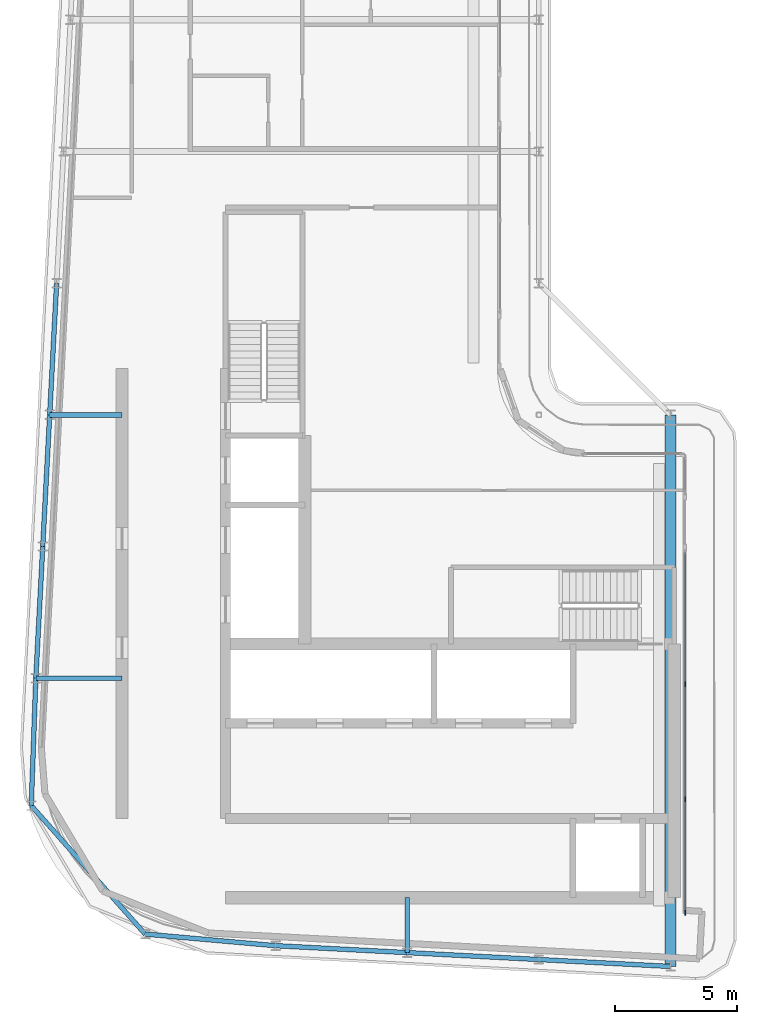
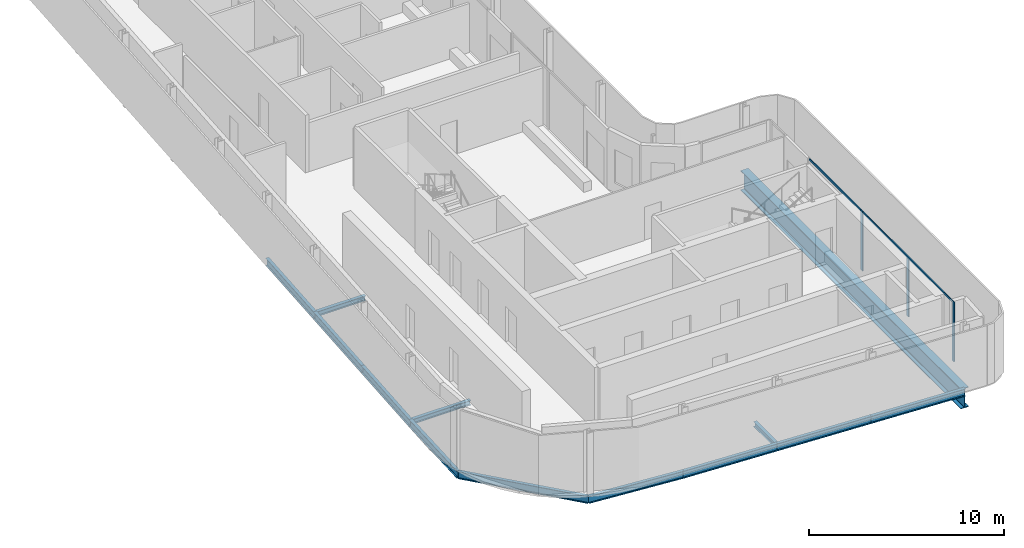
# One storey, part 4 of 17: 13 beams, 5 members, 2 elements without a shape of their own.
"""IFC4 building model written with IfcOpenShell, lengths in metres."""

from ifc_helpers import new_model, si_unit, direction, frame, origin, origin_2d, place, context, subcontext, project, spatial, rectangle, i_section, extrude, material, layer, layer_set, material_profile, profile_set, type_object, element, aggregate, save


model = new_model("IFC4")

# Units and contexts
model_context = context("Model", 3, precision=1e-05, world=origin(), true_north=direction((0.0, 1.0)))
body_context = subcontext(model_context, "Body", "Model", "MODEL_VIEW")
ifc_project = project(units=[si_unit("LENGTHUNIT", "METRE"), si_unit("AREAUNIT", "SQUARE_METRE"), si_unit("VOLUMEUNIT", "CUBIC_METRE"), si_unit("PLANEANGLEUNIT", "RADIAN"), si_unit("MASSUNIT", "GRAM", prefix="KILO")], contexts=[model_context])

# Site, building, storey
site_placement = place(None, origin())
site = spatial("IfcSite", under=ifc_project, at=site_placement, CompositionType="ELEMENT")
building_placement = place(site_placement, origin())
building = spatial("IfcBuilding", under=site, at=building_placement, Name="Kheshtan School and Residences Tower", CompositionType="ELEMENT")
storey_placement = place(building_placement, frame((0.0, 0.0, 342.199951171875)))
storey = spatial("IfcBuildingStorey", under=building, at=storey_placement, Name="L80", CompositionType="ELEMENT", Elevation=342.199951171875)

# Beams
ifc_material_1 = material(Name="Steel ASTM A992 Grade 50", Category="steel")
ifc_material_profile_1 = material_profile(ifc_material_1, i_section(OverallWidth=0.202880859375, OverallDepth=0.302978515625, WebThickness=0.007568359375, FlangeThickness=0.01318359375, FilletRadius=0.009033203125, at=origin_2d()), Name="W310x60")
ifc_profile_set_1 = profile_set([ifc_material_profile_1], Name="Steel ASTM A992 Grade 50")
beam_type_1 = type_object("IfcBeamType", Name="Beam FB1 W310x60 ASTM A992 Grade 50", PredefinedType="BEAM", material=ifc_profile_set_1)
beam_1_placement = place(storey_placement, frame((42.199951171875, 23.548095703125, -0.301513671875), z_axis=(0.0, 1.0, 0.0), x_axis=(-1.0, 0.0, 0.0)))
element("IfcBeam", 1, at=beam_1_placement, inside=storey, type_object=beam_type_1, Name="Floor beam C021", PredefinedType="BEAM", context=body_context, shape_type="SweptSolid", body=[
    extrude(i_section(OverallWidth=0.202880859375, OverallDepth=0.302978515625, WebThickness=0.007568359375, FlangeThickness=0.01318359375, FilletRadius=0.009033203125, at=origin_2d()), origin(), (0.0, 0.0, 1.0), 2.251953125),
])
beam_2_placement = place(storey_placement, frame((26.968994140625, 34.800048828125, -0.301513671875), z_axis=(1.0, 0.0, 0.0), x_axis=(0.0, 1.0, 0.0)))
element("IfcBeam", 2, at=beam_2_placement, inside=storey, type_object=beam_type_1, Name="Floor beam C052", PredefinedType="BEAM", context=body_context, shape_type="SweptSolid", body=[
    extrude(i_section(OverallWidth=0.202880859375, OverallDepth=0.302978515625, WebThickness=0.007568359375, FlangeThickness=0.01318359375, FilletRadius=0.009033203125, at=origin_2d()), origin(), (0.0, 0.0, 1.0), 3.531005859375),
])
beam_3_placement = place(storey_placement, frame((27.537109375, 45.60009765625, -0.301513671875), z_axis=(1.0, 0.0, 0.0), x_axis=(0.0, 1.0, 0.0)))
element("IfcBeam", 3, at=beam_3_placement, inside=storey, type_object=beam_type_1, Name="Floor beam C059", PredefinedType="BEAM", context=body_context, shape_type="SweptSolid", body=[
    extrude(i_section(OverallWidth=0.202880859375, OverallDepth=0.302978515625, WebThickness=0.007568359375, FlangeThickness=0.01318359375, FilletRadius=0.009033203125, at=origin_2d()), origin(), (0.0, 0.0, 1.0), 2.962890625),
])
ifc_material_profile_2 = material_profile(ifc_material_1, i_section(OverallWidth=0.18994140625, OverallDepth=0.45703125, WebThickness=0.009033203125, FlangeThickness=0.014404296875, FilletRadius=0.01318359375, at=origin_2d()), Name="W460x74")
ifc_profile_set_2 = profile_set([ifc_material_profile_2], Name="Steel ASTM A992 Grade 50")
beam_type_2 = type_object("IfcBeamType", Name="Beam SP4 W460x74 ASTM A992 Grade 50", PredefinedType="BEAM", material=ifc_profile_set_2)
beam_4_placement = place(storey_placement, frame((53.0, 22.97998046875, -0.37841796875), z_axis=(-0.998620447272, 0.05250906864, 0.0), x_axis=(-0.05250906864, -0.998620447272, 0.0)))
element("IfcBeam", 4, at=beam_4_placement, inside=storey, type_object=beam_type_2, Name="Spandrel beam C019-C020", PredefinedType="BEAM", context=body_context, shape_type="SweptSolid", body=[
    extrude(i_section(OverallWidth=0.18994140625, OverallDepth=0.45703125, WebThickness=0.009033203125, FlangeThickness=0.014404296875, FilletRadius=0.01318359375, at=origin_2d()), origin(), (0.0, 0.0, 1.0), 5.407470703125),
])
beam_5_placement = place(storey_placement, frame((47.60009765625, 23.263916015625, -0.37841796875), z_axis=(-0.998618203458, 0.052551724256, 0.0), x_axis=(-0.052551724256, -0.998618203458, 0.0)))
element("IfcBeam", 5, at=beam_5_placement, inside=storey, type_object=beam_type_2, Name="Spandrel beam C020-C021", PredefinedType="BEAM", context=body_context, shape_type="SweptSolid", body=[
    extrude(i_section(OverallWidth=0.18994140625, OverallDepth=0.45703125, WebThickness=0.009033203125, FlangeThickness=0.014404296875, FilletRadius=0.01318359375, at=origin_2d()), origin(), (0.0, 0.0, 1.0), 5.40771484375),
])
beam_6_placement = place(storey_placement, frame((42.199951171875, 23.548095703125, -0.37841796875), z_axis=(-0.998620447272, 0.05250906864, 0.0), x_axis=(-0.05250906864, -0.998620447272, 0.0)))
element("IfcBeam", 6, at=beam_6_placement, inside=storey, type_object=beam_type_2, Name="Spandrel beam C021-C022", PredefinedType="BEAM", context=body_context, shape_type="SweptSolid", body=[
    extrude(i_section(OverallWidth=0.18994140625, OverallDepth=0.45703125, WebThickness=0.009033203125, FlangeThickness=0.014404296875, FilletRadius=0.01318359375, at=origin_2d()), origin(), (0.0, 0.0, 1.0), 5.407470703125),
])
beam_7_placement = place(storey_placement, frame((36.800048828125, 23.83203125, -0.37841796875), z_axis=(-0.996058185284, 0.088702263383, 0.0), x_axis=(-0.088702263383, -0.996058185284, 0.0)))
element("IfcBeam", 7, at=beam_7_placement, inside=storey, type_object=beam_type_2, Name="Spandrel beam C022-C033", PredefinedType="BEAM", context=body_context, shape_type="SweptSolid", body=[
    extrude(i_section(OverallWidth=0.18994140625, OverallDepth=0.45703125, WebThickness=0.009033203125, FlangeThickness=0.014404296875, FilletRadius=0.01318359375, at=origin_2d()), origin(), (0.0, 0.0, 1.0), 5.3671875),
])
beam_8_placement = place(storey_placement, frame((31.4541015625, 24.30810546875, -0.37841796875), z_axis=(-0.663616789084, 0.748072695161, 0.0), x_axis=(-0.748072695161, -0.663616789084, 0.0)))
element("IfcBeam", 8, at=beam_8_placement, inside=storey, type_object=beam_type_2, Name="Spandrel beam C033-C046", PredefinedType="BEAM", context=body_context, shape_type="SweptSolid", body=[
    extrude(i_section(OverallWidth=0.18994140625, OverallDepth=0.45703125, WebThickness=0.009033203125, FlangeThickness=0.014404296875, FilletRadius=0.01318359375, at=origin_2d()), origin(), (0.0, 0.0, 1.0), 7.041748046875),
])
beam_9_placement = place(storey_placement, frame((26.781005859375, 29.575927734375, -0.37841796875), z_axis=(0.035961395853, 0.999353179816, 0.0), x_axis=(-0.999353179816, 0.035961395853, 0.0)))
element("IfcBeam", 9, at=beam_9_placement, inside=storey, type_object=beam_type_2, Name="Spandrel beam C046-C052", PredefinedType="BEAM", context=body_context, shape_type="SweptSolid", body=[
    extrude(i_section(OverallWidth=0.18994140625, OverallDepth=0.45703125, WebThickness=0.009033203125, FlangeThickness=0.014404296875, FilletRadius=0.01318359375, at=origin_2d()), origin(), (0.0, 0.0, 1.0), 5.2275390625),
])
beam_10_placement = place(storey_placement, frame((26.968994140625, 34.800048828125, -0.37841796875), z_axis=(0.05250906864, 0.998620447272, 0.0), x_axis=(-0.998620447272, 0.05250906864, 0.0)))
element("IfcBeam", 10, at=beam_10_placement, inside=storey, type_object=beam_type_2, Name="Spandrel beam C052-C056", PredefinedType="BEAM", context=body_context, shape_type="SweptSolid", body=[
    extrude(i_section(OverallWidth=0.18994140625, OverallDepth=0.45703125, WebThickness=0.009033203125, FlangeThickness=0.014404296875, FilletRadius=0.01318359375, at=origin_2d()), origin(), (0.0, 0.0, 1.0), 5.407470703125),
])
beam_11_placement = place(storey_placement, frame((27.2529296875, 40.199951171875, -0.37841796875), z_axis=(0.052551724256, 0.998618203458, 0.0), x_axis=(-0.998618203458, 0.052551724256, 0.0)))
element("IfcBeam", 11, at=beam_11_placement, inside=storey, type_object=beam_type_2, Name="Spandrel beam C056-C059", PredefinedType="BEAM", context=body_context, shape_type="SweptSolid", body=[
    extrude(i_section(OverallWidth=0.18994140625, OverallDepth=0.45703125, WebThickness=0.009033203125, FlangeThickness=0.014404296875, FilletRadius=0.01318359375, at=origin_2d()), origin(), (0.0, 0.0, 1.0), 5.40771484375),
])
beam_12_placement = place(storey_placement, frame((27.537109375, 45.60009765625, -0.37841796875), z_axis=(0.052689166816, 0.998610961136, 0.0), x_axis=(-0.998610961136, 0.052689166816, 0.0)))
element("IfcBeam", 12, at=beam_12_placement, inside=storey, type_object=beam_type_2, Name="Spandrel beam C059-C078", PredefinedType="BEAM", context=body_context, shape_type="SweptSolid", body=[
    extrude(i_section(OverallWidth=0.18994140625, OverallDepth=0.45703125, WebThickness=0.009033203125, FlangeThickness=0.014404296875, FilletRadius=0.01318359375, at=origin_2d()), origin(), (0.0, 0.0, 1.0), 5.407470703125),
])

# Curtain wall, member
ifc_material_2 = material(Name="Clear low-e glass in thermally broken aluminium frame", Category="aluminium")
ifc_layer = layer(ifc_material_2, 0.199951171875)
ifc_layer_set = layer_set([ifc_layer], Name="Curtain wall CW-L")
curtain_wall_type = type_object("IfcCurtainWallType", Name="Curtain wall CW-L", PredefinedType="NOTDEFINED", material=ifc_layer_set)
curtain_wall_1_placement = place(storey_placement, origin())
curtain_wall_1 = element("IfcCurtainWall", 13, at=curtain_wall_1_placement, inside=storey, type_object=curtain_wall_type, Name="Curtain wall CWL9c", PredefinedType="NOTDEFINED")
ifc_material_3 = material(Name="Thermally broken aluminium, dark bronze anodised", Category="aluminium")
ifc_material_profile_3 = material_profile(ifc_material_3, rectangle(XDim=0.06005859375, YDim=0.199951171875, at=origin_2d()), Name="CW-L mullion 60x200")
ifc_profile_set_3 = profile_set([ifc_material_profile_3], Name="Thermally broken aluminium, dark bronze anodised")
member_type_1 = type_object("IfcMemberType", Name="CW-L mullion 60x200", PredefinedType="MULLION", material=ifc_profile_set_3)
member_1_placement = place(storey_placement, frame((53.60009765625, 34.55810546875, 0.0), z_axis=(0.0, 0.0, 1.0), x_axis=(1.0, 0.0, 0.0)))
member_1 = element("IfcMember", 14, at=member_1_placement, type_object=member_type_1, Name="CWL9c mullion 2", PredefinedType="MULLION", context=body_context, shape_type="SweptSolid", body=[
    extrude(rectangle(XDim=0.06005859375, YDim=0.199951171875, at=origin_2d()), origin(), (0.0, 0.0, 1.0), 3.75),
])

# Curtain wall, members
curtain_wall_2_placement = place(storey_placement, origin())
curtain_wall_2 = element("IfcCurtainWall", 15, at=curtain_wall_2_placement, inside=storey, type_object=curtain_wall_type, Name="Curtain wall CWL9d", PredefinedType="NOTDEFINED")
member_2_placement = place(storey_placement, frame((53.60009765625, 29.842041015625, 0.0), z_axis=(0.0, 0.0, 1.0), x_axis=(1.0, 0.0, 0.0)))
member_2 = element("IfcMember", 16, at=member_2_placement, type_object=member_type_1, Name="CWL9d mullion 2", PredefinedType="MULLION", context=body_context, shape_type="SweptSolid", body=[
    extrude(rectangle(XDim=0.06005859375, YDim=0.199951171875, at=origin_2d()), origin(), (0.0, 0.0, 1.0), 3.630126953125),
])
member_3_placement = place(storey_placement, frame((53.60009765625, 25.18603515625, 0.0), z_axis=(0.0, 0.0, 1.0), x_axis=(1.0, 0.0, 0.0)))
member_3 = element("IfcMember", 17, at=member_3_placement, type_object=member_type_1, Name="CWL9d mullion 3", PredefinedType="MULLION", context=body_context, shape_type="SweptSolid", body=[
    extrude(rectangle(XDim=0.06005859375, YDim=0.199951171875, at=origin_2d()), origin(), (0.0, 0.0, 1.0), 3.75),
])

# Member
ifc_material_profile_4 = material_profile(ifc_material_3, rectangle(XDim=0.06005859375, YDim=0.1201171875, at=origin_2d()), Name="CW-L transom 60x120")
ifc_profile_set_4 = profile_set([ifc_material_profile_4], Name="Thermally broken aluminium, dark bronze anodised")
member_type_2 = type_object("IfcMemberType", Name="CW-L transom 60x120", PredefinedType="USERDEFINED", material=ifc_profile_set_4)
member_4_placement = place(storey_placement, frame((53.60009765625, 39.93994140625, 3.68994140625), z_axis=(0.0, -1.0, 0.0), x_axis=(1.0, 0.0, 0.0)))
member_4 = element("IfcMember", 18, at=member_4_placement, type_object=member_type_2, Name="CWL9c transom 1", ObjectType="TRANSOM", PredefinedType="USERDEFINED", context=body_context, shape_type="SweptSolid", body=[
    extrude(rectangle(XDim=0.06005859375, YDim=0.1201171875, at=origin_2d()), origin(), (0.0, 0.0, 1.0), 5.35205078125),
])

aggregate(curtain_wall_1, [member_1, member_4])

member_5_placement = place(storey_placement, frame((53.60009765625, 34.528076171875, 3.68994140625), z_axis=(0.0, -1.0, 0.0), x_axis=(1.0, 0.0, 0.0)))
member_5 = element("IfcMember", 19, at=member_5_placement, type_object=member_type_2, Name="CWL9d transom 1", ObjectType="TRANSOM", PredefinedType="USERDEFINED", context=body_context, shape_type="SweptSolid", body=[
    extrude(rectangle(XDim=0.06005859375, YDim=0.1201171875, at=origin_2d()), origin(), (0.0, 0.0, 1.0), 9.31201171875),
])

aggregate(curtain_wall_2, [member_2, member_3, member_5])

# Beam
ifc_material_profile_5 = material_profile(ifc_material_1, i_section(OverallWidth=0.449951171875, OverallDepth=1.25, WebThickness=0.02490234375, FlangeThickness=0.044921875, FilletRadius=0.03759765625, at=origin_2d()), Name="WWF1250x546")
ifc_profile_set_5 = profile_set([ifc_material_profile_5], Name="Steel ASTM A992 Grade 50")
beam_type_3 = type_object("IfcBeamType", Name="Transfer girder TG4 WWF1250x546 ASTM A992 Grade 50", PredefinedType="BEAM", material=ifc_profile_set_5)
beam_13_placement = place(storey_placement, frame((53.0, 45.60009765625, -0.77490234375), z_axis=(0.0, -1.0, 0.0), x_axis=(1.0, 0.0, 0.0)))
element("IfcBeam", 20, at=beam_13_placement, inside=storey, type_object=beam_type_3, Name="Transfer girder C061-C019", PredefinedType="BEAM", context=body_context, shape_type="SweptSolid", body=[
    extrude(i_section(OverallWidth=0.449951171875, OverallDepth=1.25, WebThickness=0.02490234375, FlangeThickness=0.044921875, FilletRadius=0.03759765625, at=origin_2d()), origin(), (0.0, 0.0, 1.0), 22.6201171875),
])

save(model, "model.ifc")
